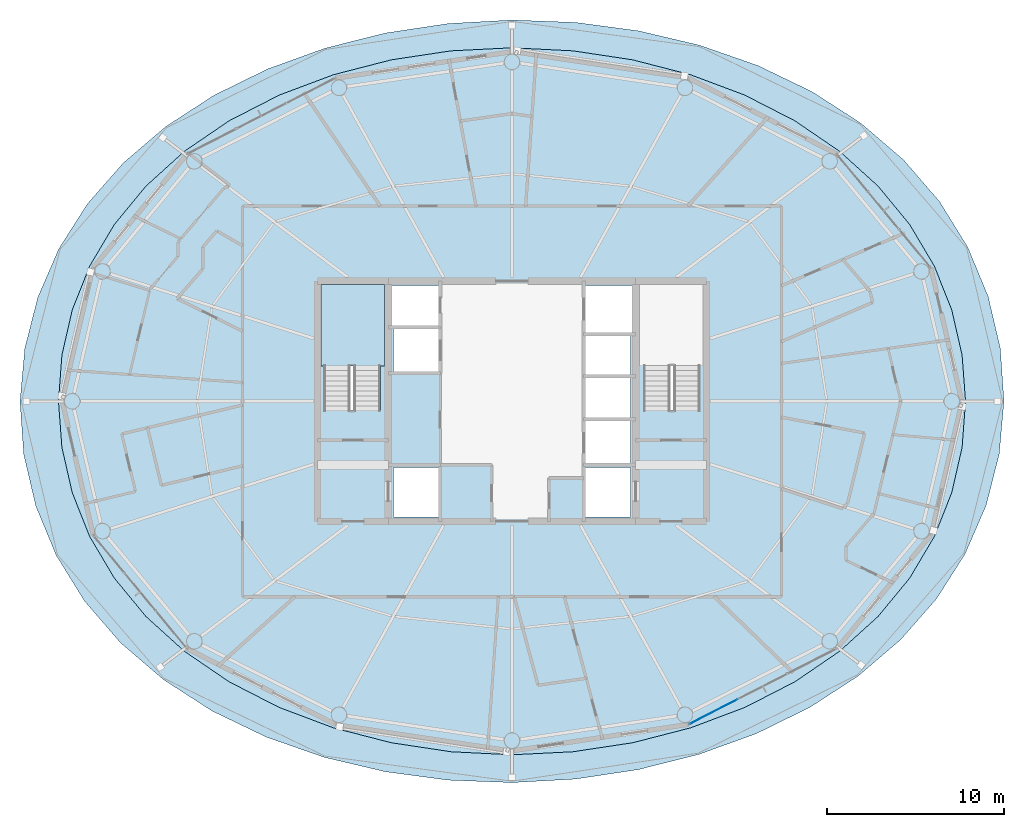
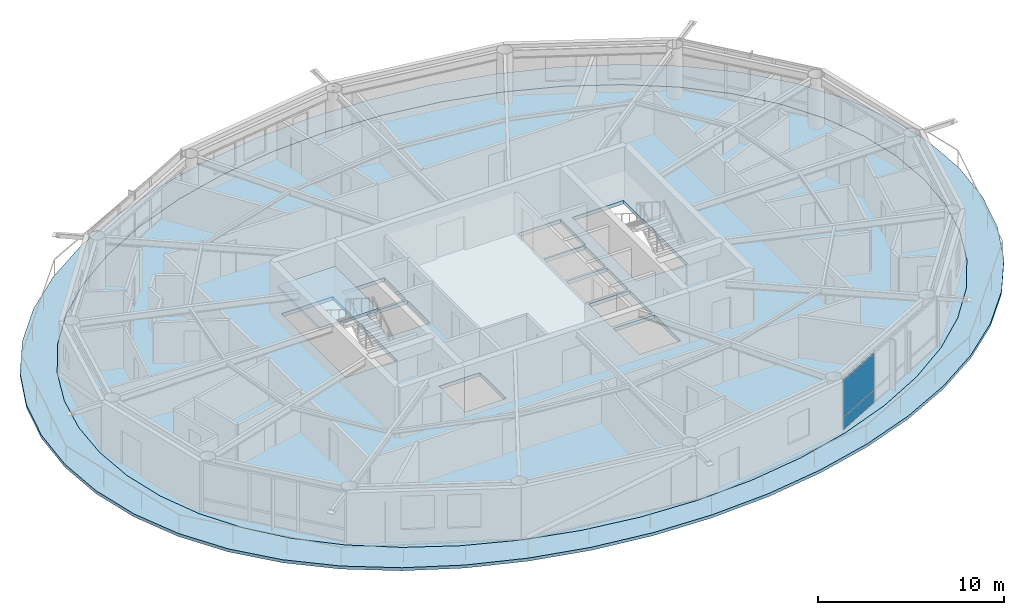
# One storey, part 13 of 22: 3 slabs, 2 plates, 2 elements without a shape of their own.
"""IFC4 building model written with IfcOpenShell, lengths in metres."""

from ifc_helpers import new_model, si_unit, direction, frame, origin, origin_2d, place, context, subcontext, project, spatial, polyline, rectangle, outline, extrude, material, layer, layer_set, type_object, element, aggregate, save


model = new_model("IFC4")

# Units and contexts
model_context = context("Model", 3, precision=1e-05, world=origin(), true_north=direction((0.0, 1.0)))
body_context = subcontext(model_context, "Body", "Model", "MODEL_VIEW")
ifc_project = project(units=[si_unit("LENGTHUNIT", "METRE"), si_unit("AREAUNIT", "SQUARE_METRE"), si_unit("VOLUMEUNIT", "CUBIC_METRE"), si_unit("PLANEANGLEUNIT", "RADIAN"), si_unit("MASSUNIT", "GRAM", prefix="KILO")], contexts=[model_context])

# Site, building, storey
site_placement = place(None, origin())
site = spatial("IfcSite", under=ifc_project, at=site_placement, CompositionType="ELEMENT")
building_placement = place(site_placement, origin())
building = spatial("IfcBuilding", under=site, at=building_placement, Name="Sarneth Arch Tower", CompositionType="ELEMENT")
storey_placement = place(building_placement, frame((0.0, 0.0, 213.60009765625)))
storey = spatial("IfcBuildingStorey", under=building, at=storey_placement, Name="L54", CompositionType="ELEMENT", Elevation=213.60009765625)

# Curtain wall, plates
ifc_material_1 = material(Name="Anodised aluminium Type AA25 and solar-control low-e laminated IGU", Category="aluminium")
ifc_layer_1 = layer(ifc_material_1, 0.179931640625)
ifc_layer_set_1 = layer_set([ifc_layer_1], Name="Anodised aluminium Type AA25 and solar-control low-e laminated IGU")
curtain_wall_type = type_object("IfcCurtainWallType", Name="CW-RES-HIGH", PredefinedType="NOTDEFINED", material=ifc_layer_set_1)
curtain_wall_placement = place(storey_placement, origin())
curtain_wall = element("IfcCurtainWall", 1, at=curtain_wall_placement, inside=storey, type_object=curtain_wall_type, Name="L54 Unitised curtain wall facet 14", PredefinedType="NOTDEFINED")
ifc_material_2 = material(Name="Solar-control low-e laminated IGU", Category="glass")
ifc_layer_2 = layer(ifc_material_2, 0.028076171875)
ifc_layer_set_2 = layer_set([ifc_layer_2], Name="Solar-control low-e laminated IGU")
plate_type = type_object("IfcPlateType", Name="CW-PANEL", PredefinedType="CURTAIN_PANEL", material=ifc_layer_set_2)
plate_1_placement = place(storey_placement, frame((59.4208984375, 24.447021484375, 0.059814453125), z_axis=(0.0, 0.0, 1.0), x_axis=(0.890009540525, 0.455941901753, 0.0)))
plate_1 = element("IfcPlate", 2, at=plate_1_placement, type_object=plate_type, Name="Curtain wall glazed vision pane CW-L54-F14/P00-00", PredefinedType="CURTAIN_PANEL", context=body_context, shape_type="SweptSolid", body=[
    extrude(rectangle(XDim=3.044677734375, YDim=0.028076171875, at=origin_2d()), origin(), (0.0, 0.0, 1.0), 0.81005859375),
])
plate_2_placement = place(storey_placement, frame((59.4208984375, 24.447021484375, 0.929931640625), z_axis=(0.0, 0.0, 1.0), x_axis=(0.890009540525, 0.455941901753, 0.0)))
plate_2 = element("IfcPlate", 3, at=plate_2_placement, type_object=plate_type, Name="Curtain wall glazed vision pane CW-L54-F14/P00-01", PredefinedType="CURTAIN_PANEL", context=body_context, shape_type="SweptSolid", body=[
    extrude(rectangle(XDim=3.044677734375, YDim=0.028076171875, at=origin_2d()), origin(), (0.0, 0.0, 1.0), 2.3701171875),
])
aggregate(curtain_wall, [plate_1, plate_2])

# Slab
ifc_material_3 = material(Name="Concrete C50/60", Category="concrete")
ifc_layer_3 = layer(ifc_material_3, 0.199951171875)
ifc_layer_set_3 = layer_set([ifc_layer_3], Name="Concrete C50/60")
slab_type_1 = type_object("IfcSlabType", Name="SLAB-BALC-200", PredefinedType="FLOOR", material=ifc_layer_set_3)
slab_1_placement = place(storey_placement, frame((0.0, 0.0, -0.2001953125)))
element("IfcSlab", 4, at=slab_1_placement, inside=storey, type_object=slab_type_1, Name="L54 Helical balcony band slab", PredefinedType="FLOOR", context=body_context, shape_type="SweptSolid", body=[
    extrude(outline(polyline([(75.837158203125, 42.0), (75.62939453125, 44.996826171875), (74.944091796875, 47.925048828125), (73.791259765625, 50.71337890625), (72.18798828125, 53.3046875), (70.15869140625, 55.65673828125), (67.7373046875, 57.73779296875), (64.968994140625, 59.52392578125), (61.9091796875, 60.997314453125), (58.619873046875, 62.1455078125), (55.1650390625, 62.9599609375), (51.606201171875, 63.436279296875), (48.0, 63.57373046875), (44.400146484375, 63.373779296875), (40.859130859375, 62.840576171875), (37.431640625, 61.981201171875), (34.17529296875, 60.80419921875), (31.14892578125, 59.3203125), (28.4091796875, 57.543212890625), (26.005615234375, 55.488525390625), (23.978759765625, 53.175537109375), (22.359130859375, 50.62939453125), (21.170166015625, 47.883544921875), (20.4326171875, 44.98583984375), (20.162841796875, 42.0), (20.37060546875, 39.003173828125), (21.055908203125, 36.074951171875), (22.208740234375, 33.28662109375), (23.81201171875, 30.6953125), (25.84130859375, 28.34326171875), (28.2626953125, 26.26220703125), (31.031005859375, 24.47607421875), (34.0908203125, 23.002685546875), (37.380126953125, 21.8544921875), (40.8349609375, 21.0400390625), (44.393798828125, 20.563720703125), (48.0, 20.42626953125), (51.599853515625, 20.626220703125), (55.140869140625, 21.159423828125), (58.568359375, 22.018798828125), (61.82470703125, 23.19580078125), (64.85107421875, 24.6796875), (67.5908203125, 26.456787109375), (69.994384765625, 28.511474609375), (72.021240234375, 30.824462890625), (73.640869140625, 33.37060546875), (74.829833984375, 36.116455078125), (75.5673828125, 39.01416015625), (75.837158203125, 42.0)]), holes=[polyline([(73.660888671875, 42.0), (73.466064453125, 44.610595703125), (72.87890625, 47.17626953125), (71.892822265625, 49.653564453125), (70.5029296875, 52.0), (68.712158203125, 54.17529296875), (66.536865234375, 56.14208984375), (64.009521484375, 57.8671875), (61.177001953125, 59.320556640625), (58.0966796875, 60.4775390625), (54.83203125, 61.318603515625), (51.44580078125, 61.828857421875), (48.0, 62.0), (44.55419921875, 61.828857421875), (41.16796875, 61.318603515625), (37.9033203125, 60.4775390625), (34.822998046875, 59.320556640625), (31.990478515625, 57.8671875), (29.463134765625, 56.14208984375), (27.287841796875, 54.17529296875), (25.4970703125, 52.0), (24.107177734375, 49.653564453125), (23.12109375, 47.17626953125), (22.533935546875, 44.610595703125), (22.339111328125, 42.0), (22.533935546875, 39.389404296875), (23.12109375, 36.82373046875), (24.107177734375, 34.346435546875), (25.4970703125, 32.0), (27.287841796875, 29.82470703125), (29.463134765625, 27.85791015625), (31.990478515625, 26.1328125), (34.822998046875, 24.679443359375), (37.9033203125, 23.5224609375), (41.16796875, 22.681396484375), (44.55419921875, 22.171142578125), (48.0, 22.0), (51.44580078125, 22.171142578125), (54.83203125, 22.681396484375), (58.0966796875, 23.5224609375), (61.177001953125, 24.679443359375), (64.009521484375, 26.1328125), (66.536865234375, 27.85791015625), (68.712158203125, 29.82470703125), (70.5029296875, 32.0), (71.892822265625, 34.346435546875), (72.87890625, 36.82373046875), (73.466064453125, 39.389404296875), (73.660888671875, 42.0)])]), origin(), (0.0, 0.0, 1.0), 0.2001953125),
])

# Stair, slab
ifc_material_4 = material(Name="Concrete C50/60", Category="concrete")
stair_type = type_object("IfcStairType", Name="STAIR-CORE-RC", PredefinedType="HALF_TURN_STAIR", material=ifc_material_4)
stair_placement = place(storey_placement, origin())
stair = element("IfcStair", 5, at=stair_placement, inside=storey, type_object=stair_type, Name="L54 Core Exit Stair 1", PredefinedType="HALF_TURN_STAIR")
ifc_material_5 = material(Name="Concrete C50/60", Category="concrete")
ifc_layer_4 = layer(ifc_material_5, 0.199951171875)
ifc_layer_set_4 = layer_set([ifc_layer_4], Name="Concrete C50/60")
slab_type_2 = type_object("IfcSlabType", Name="SLAB-LANDING-200", PredefinedType="LANDING", material=ifc_layer_set_4)
slab_2_placement = place(storey_placement, frame((0.0, 0.0, 1.599853515625)))
slab_2 = element("IfcSlab", 6, at=slab_2_placement, type_object=slab_type_2, Name="ST-1 landing 1", PredefinedType="LANDING", context=body_context, shape_type="SweptSolid", body=[
    extrude(outline(polyline([(37.199951171875, 43.985107421875), (40.800048828125, 43.985107421875), (40.800048828125, 48.60009765625), (37.199951171875, 48.60009765625), (37.199951171875, 43.985107421875)])), origin(), (0.0, 0.0, 1.0), 0.199951171875),
])
aggregate(stair, [slab_2])

# Slab
ifc_material_6 = material(Name="Concrete C50/60", Category="concrete")
ifc_layer_5 = layer(ifc_material_6, 0.239990234375)
ifc_layer_set_5 = layer_set([ifc_layer_5], Name="Concrete C50/60")
slab_type_3 = type_object("IfcSlabType", Name="SLAB-TOWER-240", PredefinedType="FLOOR", material=ifc_layer_set_5)
slab_3_placement = place(storey_placement, frame((0.0, 0.0, -0.239990234375)))
element("IfcSlab", 7, at=slab_3_placement, inside=storey, type_object=slab_type_3, Name="L54 Elliptical floor slab", PredefinedType="FLOOR", context=body_context, shape_type="SweptSolid", body=[
    extrude(outline(polyline([(73.660888671875, 42.0), (73.466064453125, 44.610595703125), (72.87890625, 47.17626953125), (71.892822265625, 49.653564453125), (70.5029296875, 52.0), (68.712158203125, 54.17529296875), (66.536865234375, 56.14208984375), (64.009521484375, 57.8671875), (61.177001953125, 59.320556640625), (58.0966796875, 60.4775390625), (54.83203125, 61.318603515625), (51.44580078125, 61.828857421875), (48.0, 62.0), (44.55419921875, 61.828857421875), (41.16796875, 61.318603515625), (37.9033203125, 60.4775390625), (34.822998046875, 59.320556640625), (31.990478515625, 57.8671875), (29.463134765625, 56.14208984375), (27.287841796875, 54.17529296875), (25.4970703125, 52.0), (24.107177734375, 49.653564453125), (23.12109375, 47.17626953125), (22.533935546875, 44.610595703125), (22.339111328125, 42.0), (22.533935546875, 39.389404296875), (23.12109375, 36.82373046875), (24.107177734375, 34.346435546875), (25.4970703125, 32.0), (27.287841796875, 29.82470703125), (29.463134765625, 27.85791015625), (31.990478515625, 26.1328125), (34.822998046875, 24.679443359375), (37.9033203125, 23.5224609375), (41.16796875, 22.681396484375), (44.55419921875, 22.171142578125), (48.0, 22.0), (51.44580078125, 22.171142578125), (54.83203125, 22.681396484375), (58.0966796875, 23.5224609375), (61.177001953125, 24.679443359375), (64.009521484375, 26.1328125), (66.536865234375, 27.85791015625), (68.712158203125, 29.82470703125), (70.5029296875, 32.0), (71.892822265625, 34.346435546875), (72.87890625, 36.82373046875), (73.466064453125, 39.389404296875), (73.660888671875, 42.0)]), holes=[polyline([(37.35009765625, 41.489990234375), (40.550048828125, 41.489990234375), (40.550048828125, 48.39990234375), (37.35009765625, 48.39990234375), (37.35009765625, 41.489990234375)]), polyline([(55.449951171875, 41.489990234375), (58.64990234375, 41.489990234375), (58.64990234375, 48.39990234375), (55.449951171875, 48.39990234375), (55.449951171875, 41.489990234375)]), polyline([(41.199951171875, 46.25), (43.85009765625, 46.25), (43.85009765625, 48.550048828125), (41.199951171875, 48.550048828125), (41.199951171875, 46.25)]), polyline([(41.300048828125, 35.449951171875), (43.85009765625, 35.449951171875), (43.85009765625, 38.25), (41.300048828125, 38.25), (41.300048828125, 35.449951171875)]), polyline([(52.14990234375, 35.449951171875), (54.699951171875, 35.449951171875), (54.699951171875, 38.25), (52.14990234375, 38.25), (52.14990234375, 35.449951171875)]), polyline([(52.14990234375, 45.85009765625), (54.800048828125, 45.85009765625), (54.800048828125, 48.550048828125), (52.14990234375, 48.550048828125), (52.14990234375, 45.85009765625)]), polyline([(41.300048828125, 43.64990234375), (43.85009765625, 43.64990234375), (43.85009765625, 46.10009765625), (41.300048828125, 46.10009765625), (41.300048828125, 43.64990234375)]), polyline([(52.14990234375, 38.449951171875), (54.699951171875, 38.449951171875), (54.699951171875, 40.89990234375), (52.14990234375, 40.89990234375), (52.14990234375, 38.449951171875)]), polyline([(52.14990234375, 41.050048828125), (54.699951171875, 41.050048828125), (54.699951171875, 43.35009765625), (52.14990234375, 43.35009765625), (52.14990234375, 41.050048828125)]), polyline([(52.14990234375, 43.5), (54.699951171875, 43.5), (54.699951171875, 45.75), (52.14990234375, 45.75), (52.14990234375, 43.5)])]), origin(), (0.0, 0.0, 1.0), 0.239990234375),
])

save(model, "model.ifc")
